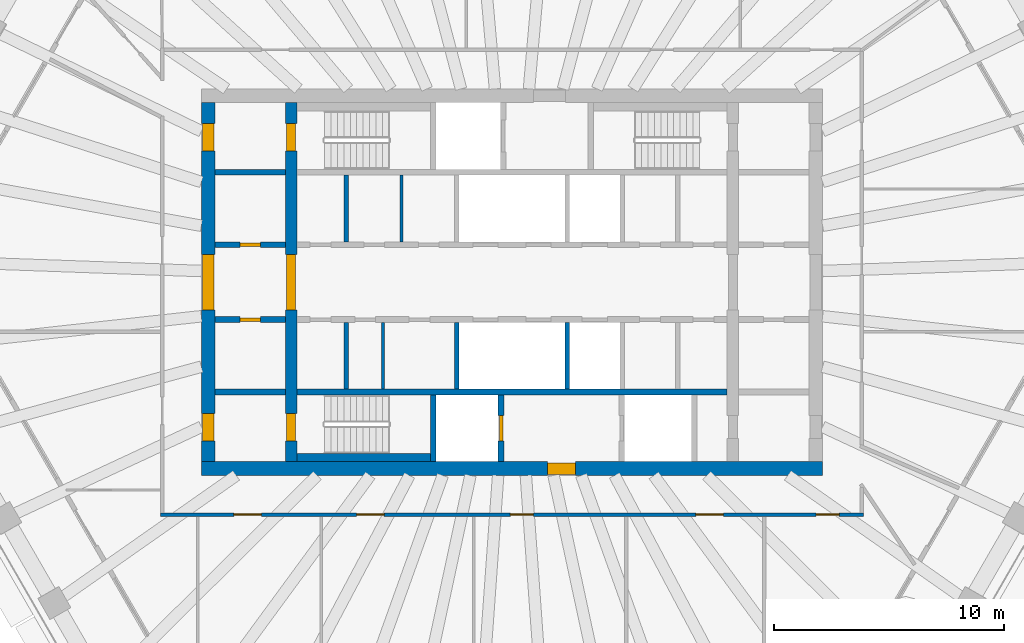
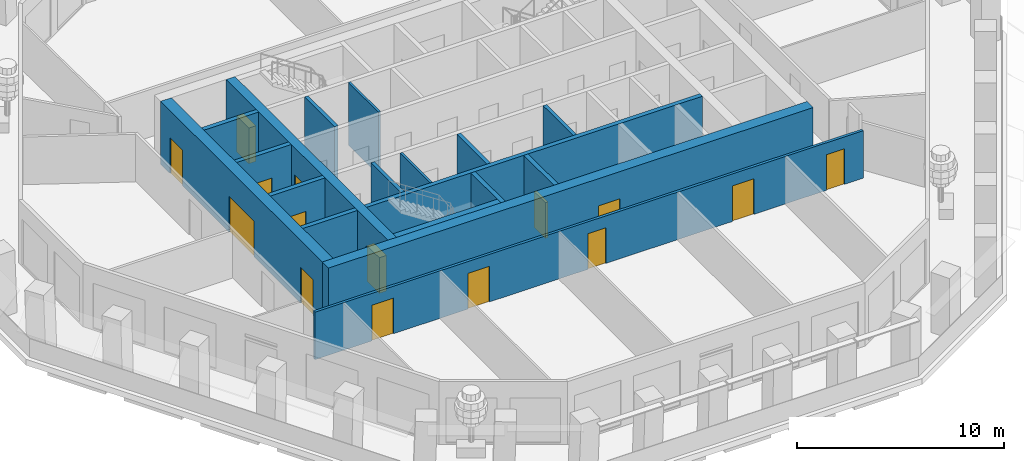
# One storey, part 4 of 12: 18 walls, 15 doors, 15 openings.
"""IFC4 building model written with IfcOpenShell, lengths in metres."""

from ifc_helpers import new_model, si_unit, direction, frame, frame_2d, origin, place, context, subcontext, project, spatial, rectangle, extrude, material, layer, layer_set, type_object, element, fill, save


model = new_model("IFC4")

# Units and contexts
model_context = context("Model", 3, precision=1e-05, world=origin(), true_north=direction((0.0, 1.0)))
body_context = subcontext(model_context, "Body", "Model", "MODEL_VIEW")
ifc_project = project(units=[si_unit("LENGTHUNIT", "METRE"), si_unit("AREAUNIT", "SQUARE_METRE"), si_unit("VOLUMEUNIT", "CUBIC_METRE"), si_unit("PLANEANGLEUNIT", "RADIAN"), si_unit("MASSUNIT", "GRAM", prefix="KILO")], contexts=[model_context])

# Site, building, storey
site_placement = place(None, origin())
site = spatial("IfcSite", under=ifc_project, at=site_placement, CompositionType="ELEMENT")
building_placement = place(site_placement, origin())
building = spatial("IfcBuilding", under=site, at=building_placement, Name="Frailejon Research Tower", CompositionType="ELEMENT")
storey_placement = place(building_placement, frame((0.0, 0.0, 241.39990234375)))
storey = spatial("IfcBuildingStorey", under=building, at=storey_placement, Name="L52", CompositionType="ELEMENT", Elevation=241.39990234375)

# Walls
ifc_material_1 = material(Name="Plasterboard on steel studs", Category="steel")
ifc_layer_1 = layer(ifc_material_1, 0.125)
ifc_layer_set_1 = layer_set([ifc_layer_1], Name="Core partition 125")
wall_type_1 = type_object("IfcWallType", Name="Core partition 125", PredefinedType="PARTITIONING", material=ifc_layer_set_1)
for number, where, z_axis, x_axis, name in (
    (1, (-4.800048828125, 1.75, 0.0), (0.0, 0.0, 1.0), (0.0, 1.0, 0.0), "Core partition"),
    (2, (-5.60009765625, -4.64990234375, 0.0), (0.0, 0.0, 1.0), (0.0, 1.0, 0.0), "Core partition"),
):
    element("IfcWall", number, at=place(storey_placement, frame(where, z_axis=z_axis, x_axis=x_axis)), inside=storey, type_object=wall_type_1, Name=name, PredefinedType="PARTITIONING", context=body_context, shape_type="SweptSolid", body=[
        extrude(rectangle(XDim=2.89990234375, YDim=0.125, at=frame_2d((1.449951171875, 0.0))), origin(), (0.0, 0.0, 1.0), 3.7001953125),
    ])

# Wall, openings, doors
ifc_material_2 = material(Name="Concrete C60/75", Category="concrete")
ifc_layer_2 = layer(ifc_material_2, 0.5)
ifc_layer_set_2 = layer_set([ifc_layer_2], Name="Core shear wall 500 C60/75")
wall_type_2 = type_object("IfcWallType", Name="Core shear wall 500 C60/75", PredefinedType="SHEAR", material=ifc_layer_set_2)
wall_1_placement = place(storey_placement, frame((-9.60009765625, -7.800048828125, 0.0), z_axis=(0.0, 0.0, 1.0), x_axis=(0.0, 1.0, 0.0)))
wall_1 = element("IfcWall", 3, at=wall_1_placement, inside=storey, type_object=wall_type_2, Name="Core shear wall", PredefinedType="SHEAR", context=body_context, shape_type="SweptSolid", body=[
    extrude(rectangle(XDim=15.60009765625, YDim=0.5, at=frame_2d((7.800048828125, 0.0))), origin(), (0.0, 0.0, 1.0), 3.7001953125),
])
opening_1_placement = place(wall_1_placement, frame((6.60009765625, 0.0, 0.0)))
opening_1 = element("IfcOpeningElement", 4, at=opening_1_placement, cuts=wall_1, Name="Opening D2", PredefinedType="OPENING", context=body_context, shape_type="SweptSolid", body=[
    extrude(rectangle(XDim=2.39990234375, YDim=2.10009765625, at=frame_2d((1.199951171875, 1.050048828125))), frame((0.0, 0.260009765625, 0.0), z_axis=(0.0, -1.0, 0.0), x_axis=(1.0, 0.0, 0.0)), (0.0, 0.0, 1.0), 0.52001953125),
])
opening_2_placement = place(wall_1_placement, frame((13.5, 0.0, 0.0)))
opening_2 = element("IfcOpeningElement", 5, at=opening_2_placement, cuts=wall_1, Name="Opening D1", PredefinedType="OPENING", context=body_context, shape_type="SweptSolid", body=[
    extrude(rectangle(XDim=1.199951171875, YDim=2.10009765625, at=frame_2d((0.60009765625, 1.050048828125))), frame((0.0, 0.260009765625, 0.0), z_axis=(0.0, -1.0, 0.0), x_axis=(1.0, 0.0, 0.0)), (0.0, 0.0, 1.0), 0.52001953125),
])
opening_3_placement = place(wall_1_placement, frame((0.89990234375, 0.0, 0.0)))
opening_3 = element("IfcOpeningElement", 6, at=opening_3_placement, cuts=wall_1, Name="Opening D1", PredefinedType="OPENING", context=body_context, shape_type="SweptSolid", body=[
    extrude(rectangle(XDim=1.199951171875, YDim=2.10009765625, at=frame_2d((0.60009765625, 1.050048828125))), frame((0.0, 0.260009765625, 0.0), z_axis=(0.0, -1.0, 0.0), x_axis=(1.0, 0.0, 0.0)), (0.0, 0.0, 1.0), 0.52001953125),
])
ifc_material_3 = material(Name="Steel", Category="steel")
door_type_1 = type_object("IfcDoorType", Name="Lobby double door", OperationType="DOUBLE_DOOR_SINGLE_SWING", PredefinedType="DOOR", material=ifc_material_3)
door_1_placement = place(opening_1_placement, origin())
door_1 = element("IfcDoor", 7, at=door_1_placement, inside=storey, type_object=door_type_1, Name="Lobby door", OperationType="DOUBLE_DOOR_SINGLE_SWING", OverallHeight=2.10009765625, OverallWidth=2.39990234375, PredefinedType="DOOR", context=body_context, shape_type="SweptSolid", body=[
    extrude(rectangle(XDim=2.39990234375, YDim=2.10009765625, at=frame_2d((1.199951171875, 1.050048828125))), frame((0.0, 0.199951171875, 0.0), z_axis=(0.0, -1.0, 0.0), x_axis=(1.0, 0.0, 0.0)), (0.0, 0.0, 1.0), 0.39990234375),
])
fill(opening_1, door_1)
ifc_material_4 = material(Name="Steel", Category="steel")
door_type_2 = type_object("IfcDoorType", Name="Stair door", OperationType="SINGLE_SWING_LEFT", PredefinedType="DOOR", material=ifc_material_4)
door_2_placement = place(opening_2_placement, origin())
door_2 = element("IfcDoor", 8, at=door_2_placement, inside=storey, type_object=door_type_2, Name="Stair door ST1", OperationType="SINGLE_SWING_RIGHT", OverallHeight=2.10009765625, OverallWidth=1.199951171875, PredefinedType="DOOR", context=body_context, shape_type="SweptSolid", body=[
    extrude(rectangle(XDim=1.199951171875, YDim=2.10009765625, at=frame_2d((0.60009765625, 1.050048828125))), frame((0.0, 0.199951171875, 0.0), z_axis=(0.0, -1.0, 0.0), x_axis=(1.0, 0.0, 0.0)), (0.0, 0.0, 1.0), 0.39990234375),
])
fill(opening_2, door_2)
door_3_placement = place(opening_3_placement, origin())
door_3 = element("IfcDoor", 9, at=door_3_placement, inside=storey, type_object=door_type_2, Name="Stair door ST2", OperationType="SINGLE_SWING_RIGHT", OverallHeight=2.10009765625, OverallWidth=1.199951171875, PredefinedType="DOOR", context=body_context, shape_type="SweptSolid", body=[
    extrude(rectangle(XDim=1.199951171875, YDim=2.10009765625, at=frame_2d((0.60009765625, 1.050048828125))), frame((0.0, 0.199951171875, 0.0), z_axis=(0.0, -1.0, 0.0), x_axis=(1.0, 0.0, 0.0)), (0.0, 0.0, 1.0), 0.39990234375),
])
fill(opening_3, door_3)

# Wall, opening, door
ifc_material_5 = material(Name="Concrete C60/75", Category="concrete")
ifc_layer_3 = layer(ifc_material_5, 0.60009765625)
ifc_layer_set_3 = layer_set([ifc_layer_3], Name="Core shear wall 600 C60/75")
wall_type_3 = type_object("IfcWallType", Name="Core shear wall 600 C60/75", PredefinedType="SHEAR", material=ifc_layer_set_3)
wall_2_placement = place(storey_placement, frame((-13.5, -8.10009765625, 0.0), z_axis=(0.0, 0.0, 1.0), x_axis=(1.0, 0.0, 0.0)))
wall_2 = element("IfcWall", 10, at=wall_2_placement, inside=storey, type_object=wall_type_3, Name="Core shear wall", PredefinedType="SHEAR", context=body_context, shape_type="SweptSolid", body=[
    extrude(rectangle(XDim=27.0, YDim=0.60009765625, at=frame_2d((13.5, 0.0))), origin(), (0.0, 0.0, 1.0), 3.7001953125),
])
opening_4_placement = place(wall_2_placement, frame((15.050048828125, 0.0, 0.0)))
opening_4 = element("IfcOpeningElement", 11, at=opening_4_placement, cuts=wall_2, Name="Opening D3", PredefinedType="OPENING", context=body_context, shape_type="SweptSolid", body=[
    extrude(rectangle(XDim=1.199951171875, YDim=2.10009765625, at=frame_2d((0.60009765625, 1.050048828125))), frame((0.0, 0.31005859375, 0.0), z_axis=(0.0, -1.0, 0.0), x_axis=(1.0, 0.0, 0.0)), (0.0, 0.0, 1.0), 0.6201171875),
])
ifc_material_6 = material(Name="Steel", Category="steel")
door_type_3 = type_object("IfcDoorType", Name="Firefighting lobby door", OperationType="SINGLE_SWING_LEFT", PredefinedType="DOOR", material=ifc_material_6)
door_4_placement = place(opening_4_placement, origin())
door_4 = element("IfcDoor", 12, at=door_4_placement, inside=storey, type_object=door_type_3, Name="Firefighting lobby door", OperationType="SINGLE_SWING_RIGHT", OverallHeight=2.10009765625, OverallWidth=1.199951171875, PredefinedType="DOOR", context=body_context, shape_type="SweptSolid", body=[
    extrude(rectangle(XDim=1.199951171875, YDim=2.10009765625, at=frame_2d((0.60009765625, 1.050048828125))), frame((0.0, 0.25, 0.0), z_axis=(0.0, -1.0, 0.0), x_axis=(1.0, 0.0, 0.0)), (0.0, 0.0, 1.0), 0.5),
])
fill(opening_4, door_4)

# Wall, openings, doors
wall_3_placement = place(storey_placement, frame((-13.199951171875, -7.800048828125, 0.0), z_axis=(0.0, 0.0, 1.0), x_axis=(0.0, 1.0, 0.0)))
wall_3 = element("IfcWall", 13, at=wall_3_placement, inside=storey, type_object=wall_type_3, Name="Core shear wall", PredefinedType="SHEAR", context=body_context, shape_type="SweptSolid", body=[
    extrude(rectangle(XDim=15.60009765625, YDim=0.60009765625, at=frame_2d((7.800048828125, 0.0))), origin(), (0.0, 0.0, 1.0), 3.7001953125),
])
opening_5_placement = place(wall_3_placement, frame((6.60009765625, 0.0, 0.0)))
opening_5 = element("IfcOpeningElement", 14, at=opening_5_placement, cuts=wall_3, Name="Opening D2", PredefinedType="OPENING", context=body_context, shape_type="SweptSolid", body=[
    extrude(rectangle(XDim=2.39990234375, YDim=2.10009765625, at=frame_2d((1.199951171875, 1.050048828125))), frame((0.0, 0.31005859375, 0.0), z_axis=(0.0, -1.0, 0.0), x_axis=(1.0, 0.0, 0.0)), (0.0, 0.0, 1.0), 0.6201171875),
])
opening_6_placement = place(wall_3_placement, frame((13.5, 0.0, 0.0)))
opening_6 = element("IfcOpeningElement", 15, at=opening_6_placement, cuts=wall_3, Name="Opening D7", PredefinedType="OPENING", context=body_context, shape_type="SweptSolid", body=[
    extrude(rectangle(XDim=1.199951171875, YDim=2.10009765625, at=frame_2d((0.60009765625, 1.050048828125))), frame((0.0, 0.31005859375, 0.0), z_axis=(0.0, -1.0, 0.0), x_axis=(1.0, 0.0, 0.0)), (0.0, 0.0, 1.0), 0.6201171875),
])
opening_7_placement = place(wall_3_placement, frame((0.89990234375, 0.0, 0.0)))
opening_7 = element("IfcOpeningElement", 16, at=opening_7_placement, cuts=wall_3, Name="Opening D7", PredefinedType="OPENING", context=body_context, shape_type="SweptSolid", body=[
    extrude(rectangle(XDim=1.199951171875, YDim=2.10009765625, at=frame_2d((0.60009765625, 1.050048828125))), frame((0.0, 0.31005859375, 0.0), z_axis=(0.0, -1.0, 0.0), x_axis=(1.0, 0.0, 0.0)), (0.0, 0.0, 1.0), 0.6201171875),
])
door_5_placement = place(opening_5_placement, origin())
door_5 = element("IfcDoor", 17, at=door_5_placement, inside=storey, type_object=door_type_1, Name="Lobby door", OperationType="DOUBLE_DOOR_SINGLE_SWING", OverallHeight=2.10009765625, OverallWidth=2.39990234375, PredefinedType="DOOR", context=body_context, shape_type="SweptSolid", body=[
    extrude(rectangle(XDim=2.39990234375, YDim=2.10009765625, at=frame_2d((1.199951171875, 1.050048828125))), frame((0.0, 0.25, 0.0), z_axis=(0.0, -1.0, 0.0), x_axis=(1.0, 0.0, 0.0)), (0.0, 0.0, 1.0), 0.5),
])
fill(opening_5, door_5)
ifc_material_7 = material(Name="Steel", Category="steel")
door_type_4 = type_object("IfcDoorType", Name="Stair exit door", OperationType="SINGLE_SWING_LEFT", PredefinedType="DOOR", material=ifc_material_7)
door_6_placement = place(opening_6_placement, origin())
door_6 = element("IfcDoor", 18, at=door_6_placement, inside=storey, type_object=door_type_4, Name="Stair exit door ST1", OperationType="SINGLE_SWING_LEFT", OverallHeight=2.10009765625, OverallWidth=1.199951171875, PredefinedType="DOOR", context=body_context, shape_type="SweptSolid", body=[
    extrude(rectangle(XDim=1.199951171875, YDim=2.10009765625, at=frame_2d((0.60009765625, 1.050048828125))), frame((0.0, 0.25, 0.0), z_axis=(0.0, -1.0, 0.0), x_axis=(1.0, 0.0, 0.0)), (0.0, 0.0, 1.0), 0.5),
])
fill(opening_6, door_6)
door_7_placement = place(opening_7_placement, origin())
door_7 = element("IfcDoor", 19, at=door_7_placement, inside=storey, type_object=door_type_4, Name="Stair exit door ST2", OperationType="SINGLE_SWING_LEFT", OverallHeight=2.10009765625, OverallWidth=1.199951171875, PredefinedType="DOOR", context=body_context, shape_type="SweptSolid", body=[
    extrude(rectangle(XDim=1.199951171875, YDim=2.10009765625, at=frame_2d((0.60009765625, 1.050048828125))), frame((0.0, 0.25, 0.0), z_axis=(0.0, -1.0, 0.0), x_axis=(1.0, 0.0, 0.0)), (0.0, 0.0, 1.0), 0.5),
])
fill(opening_7, door_7)

ifc_material_8 = material(Name="Gypsum board and masonry partition", Category="masonry")
ifc_layer_4 = layer(ifc_material_8, 0.14990234375)
ifc_layer_set_4 = layer_set([ifc_layer_4], Name="Corridor wall EI 60, gypsum on steel studs 150")
wall_type_4 = type_object("IfcWallType", Name="Corridor wall EI 60, gypsum on steel studs 150", PredefinedType="PARTITIONING", material=ifc_layer_set_4)
wall_4_placement = place(storey_placement, frame((-15.27490234375, -10.10009765625, 0.0), z_axis=(0.0, 0.0, 1.0), x_axis=(1.0, 0.0, 0.0)))
wall_4 = element("IfcWall", 20, at=wall_4_placement, inside=storey, type_object=wall_type_4, Name="T:IW:L52:008", PredefinedType="PARTITIONING", context=body_context, shape_type="SweptSolid", body=[
    extrude(rectangle(XDim=30.5498046875, YDim=0.14990234375, at=frame_2d((15.27490234375, 0.0))), origin(), (0.0, 0.0, 1.0), 2.800048828125),
])
opening_8_placement = place(wall_4_placement, frame((3.180908203125, 0.0, 0.0)))
opening_8 = element("IfcOpeningElement", 21, at=opening_8_placement, cuts=wall_4, Name="Opening D2030", PredefinedType="OPENING", context=body_context, shape_type="SweptSolid", body=[
    extrude(rectangle(XDim=1.199951171875, YDim=2.10009765625, at=frame_2d((0.60009765625, 1.050048828125))), frame((0.0, 0.0849609375, 0.0), z_axis=(0.0, -1.0, 0.0), x_axis=(1.0, 0.0, 0.0)), (0.0, 0.0, 1.0), 0.169921875),
])
opening_9_placement = place(wall_4_placement, frame((8.521728515625, 0.0, 0.0)))
opening_9 = element("IfcOpeningElement", 22, at=opening_9_placement, cuts=wall_4, Name="Opening D2031", PredefinedType="OPENING", context=body_context, shape_type="SweptSolid", body=[
    extrude(rectangle(XDim=1.199951171875, YDim=2.10009765625, at=frame_2d((0.60009765625, 1.050048828125))), frame((0.0, 0.0849609375, 0.0), z_axis=(0.0, -1.0, 0.0), x_axis=(1.0, 0.0, 0.0)), (0.0, 0.0, 1.0), 0.169921875),
])
opening_10_placement = place(wall_4_placement, frame((15.199951171875, 0.0, 0.0)))
opening_10 = element("IfcOpeningElement", 23, at=opening_10_placement, cuts=wall_4, Name="Opening D2032", PredefinedType="OPENING", context=body_context, shape_type="SweptSolid", body=[
    extrude(rectangle(XDim=1.0, YDim=2.10009765625, at=frame_2d((0.5, 1.050048828125))), frame((0.0, 0.0849609375, 0.0), z_axis=(0.0, -1.0, 0.0), x_axis=(1.0, 0.0, 0.0)), (0.0, 0.0, 1.0), 0.169921875),
])
opening_11_placement = place(wall_4_placement, frame((23.26220703125, 0.0, 0.0)))
opening_11 = element("IfcOpeningElement", 24, at=opening_11_placement, cuts=wall_4, Name="Opening D2033", PredefinedType="OPENING", context=body_context, shape_type="SweptSolid", body=[
    extrude(rectangle(XDim=1.199951171875, YDim=2.10009765625, at=frame_2d((0.60009765625, 1.050048828125))), frame((0.0, 0.0849609375, 0.0), z_axis=(0.0, -1.0, 0.0), x_axis=(1.0, 0.0, 0.0)), (0.0, 0.0, 1.0), 0.169921875),
])
opening_12_placement = place(wall_4_placement, frame((28.4931640625, 0.0, 0.0)))
opening_12 = element("IfcOpeningElement", 25, at=opening_12_placement, cuts=wall_4, Name="Opening D2034", PredefinedType="OPENING", context=body_context, shape_type="SweptSolid", body=[
    extrude(rectangle(XDim=1.0, YDim=2.10009765625, at=frame_2d((0.5, 1.050048828125))), frame((0.0, 0.0849609375, 0.0), z_axis=(0.0, -1.0, 0.0), x_axis=(1.0, 0.0, 0.0)), (0.0, 0.0, 1.0), 0.169921875),
])
ifc_material_9 = material(Name="Timber door leaf", Category="wood")
door_type_5 = type_object("IfcDoorType", Name="Door laboratory, timber, vision panel 1200", OperationType="NOTDEFINED", PredefinedType="DOOR", material=ifc_material_9)
door_8_placement = place(opening_11_placement, origin())
door_8 = element("IfcDoor", 26, at=door_8_placement, inside=storey, type_object=door_type_5, Name="D2033", OperationType="DOUBLE_DOOR_SINGLE_SWING", OverallHeight=2.10009765625, OverallWidth=1.199951171875, PredefinedType="DOOR", context=body_context, shape_type="SweptSolid", body=[
    extrude(rectangle(XDim=1.199951171875, YDim=2.10009765625, at=frame_2d((0.60009765625, 1.050048828125))), frame((0.0, 0.02490234375, 0.0), z_axis=(0.0, -1.0, 0.0), x_axis=(1.0, 0.0, 0.0)), (0.0, 0.0, 1.0), 0.050048828125),
])
fill(opening_11, door_8)
ifc_material_10 = material(Name="Timber door leaf", Category="wood")
door_type_6 = type_object("IfcDoorType", Name="Door single leaf, timber, steel frame 1000", OperationType="NOTDEFINED", PredefinedType="DOOR", material=ifc_material_10)
door_9_placement = place(opening_10_placement, origin())
door_9 = element("IfcDoor", 27, at=door_9_placement, inside=storey, type_object=door_type_6, Name="D2032", OperationType="SINGLE_SWING_RIGHT", OverallHeight=2.10009765625, OverallWidth=1.0, PredefinedType="DOOR", context=body_context, shape_type="SweptSolid", body=[
    extrude(rectangle(XDim=1.0, YDim=2.10009765625, at=frame_2d((0.5, 1.050048828125))), frame((0.0, 0.02490234375, 0.0), z_axis=(0.0, -1.0, 0.0), x_axis=(1.0, 0.0, 0.0)), (0.0, 0.0, 1.0), 0.050048828125),
])
fill(opening_10, door_9)
door_10_placement = place(opening_12_placement, origin())
door_10 = element("IfcDoor", 28, at=door_10_placement, inside=storey, type_object=door_type_6, Name="D2034", OperationType="SINGLE_SWING_LEFT", OverallHeight=2.10009765625, OverallWidth=1.0, PredefinedType="DOOR", context=body_context, shape_type="SweptSolid", body=[
    extrude(rectangle(XDim=1.0, YDim=2.10009765625, at=frame_2d((0.5, 1.050048828125))), frame((0.0, 0.02490234375, 0.0), z_axis=(0.0, -1.0, 0.0), x_axis=(1.0, 0.0, 0.0)), (0.0, 0.0, 1.0), 0.050048828125),
])
fill(opening_12, door_10)
ifc_material_11 = material(Name="Timber door leaf", Category="wood")
door_type_7 = type_object("IfcDoorType", Name="Door single leaf, timber, steel frame 1200", OperationType="NOTDEFINED", PredefinedType="DOOR", material=ifc_material_11)
door_11_placement = place(opening_8_placement, origin())
door_11 = element("IfcDoor", 29, at=door_11_placement, inside=storey, type_object=door_type_7, Name="D2030", OperationType="DOUBLE_DOOR_SINGLE_SWING", OverallHeight=2.10009765625, OverallWidth=1.199951171875, PredefinedType="DOOR", context=body_context, shape_type="SweptSolid", body=[
    extrude(rectangle(XDim=1.199951171875, YDim=2.10009765625, at=frame_2d((0.60009765625, 1.050048828125))), frame((0.0, 0.02490234375, 0.0), z_axis=(0.0, -1.0, 0.0), x_axis=(1.0, 0.0, 0.0)), (0.0, 0.0, 1.0), 0.050048828125),
])
fill(opening_8, door_11)
door_12_placement = place(opening_9_placement, origin())
door_12 = element("IfcDoor", 30, at=door_12_placement, inside=storey, type_object=door_type_7, Name="D2031", OperationType="DOUBLE_DOOR_SINGLE_SWING", OverallHeight=2.10009765625, OverallWidth=1.199951171875, PredefinedType="DOOR", context=body_context, shape_type="SweptSolid", body=[
    extrude(rectangle(XDim=1.199951171875, YDim=2.10009765625, at=frame_2d((0.60009765625, 1.050048828125))), frame((0.0, 0.02490234375, 0.0), z_axis=(0.0, -1.0, 0.0), x_axis=(1.0, 0.0, 0.0)), (0.0, 0.0, 1.0), 0.050048828125),
])
fill(opening_9, door_12)

# Walls
ifc_material_12 = material(Name="Concrete C60/75", Category="concrete")
ifc_layer_5 = layer(ifc_material_12, 0.199951171875)
ifc_layer_set_5 = layer_set([ifc_layer_5], Name="Shaft wall 200 C60/75")
wall_type_5 = type_object("IfcWallType", Name="Shaft wall 200 C60/75", PredefinedType="SOLIDWALL", material=ifc_layer_set_5)
for number, where, z_axis, x_axis, name in (
    (31, (-7.199951171875, 1.75, 0.0), (0.0, 0.0, 1.0), (0.0, 1.0, 0.0), "Shaft wall"),
    (32, (-7.199951171875, -4.64990234375, 0.0), (0.0, 0.0, 1.0), (0.0, 1.0, 0.0), "Shaft wall"),
    (33, (-2.39990234375, -4.64990234375, 0.0), (0.0, 0.0, 1.0), (0.0, 1.0, 0.0), "Shaft wall"),
    (34, (2.39990234375, -4.64990234375, 0.0), (0.0, 0.0, 1.0), (0.0, 1.0, 0.0), "Shaft wall"),
):
    element("IfcWall", number, at=place(storey_placement, frame(where, z_axis=z_axis, x_axis=x_axis)), inside=storey, type_object=wall_type_5, Name=name, PredefinedType="SOLIDWALL", context=body_context, shape_type="SweptSolid", body=[
        extrude(rectangle(XDim=2.89990234375, YDim=0.199951171875, at=frame_2d((1.449951171875, 0.0))), origin(), (0.0, 0.0, 1.0), 3.7001953125),
    ])

# Wall, opening, door
ifc_material_13 = material(Name="Concrete C60/75", Category="concrete")
ifc_layer_6 = layer(ifc_material_13, 0.25)
ifc_layer_set_6 = layer_set([ifc_layer_6], Name="Shaft wall 250 C60/75")
wall_type_6 = type_object("IfcWallType", Name="Shaft wall 250 C60/75", PredefinedType="SOLIDWALL", material=ifc_layer_set_6)
wall_5_placement = place(storey_placement, frame((-12.89990234375, 1.625, 0.0), z_axis=(0.0, 0.0, 1.0), x_axis=(1.0, 0.0, 0.0)))
wall_5 = element("IfcWall", 35, at=wall_5_placement, inside=storey, type_object=wall_type_6, Name="Shaft wall", PredefinedType="SOLIDWALL", context=body_context, shape_type="SweptSolid", body=[
    extrude(rectangle(XDim=3.0498046875, YDim=0.25, at=frame_2d((1.52490234375, 0.0))), origin(), (0.0, 0.0, 1.0), 3.7001953125),
])
opening_13_placement = place(wall_5_placement, frame((1.074951171875, 0.0, 0.0)))
opening_13 = element("IfcOpeningElement", 36, at=opening_13_placement, cuts=wall_5, Name="Opening D8", PredefinedType="OPENING", context=body_context, shape_type="SweptSolid", body=[
    extrude(rectangle(XDim=0.89990234375, YDim=2.10009765625, at=frame_2d((0.449951171875, 1.050048828125))), frame((0.0, 0.135009765625, 0.0), z_axis=(0.0, -1.0, 0.0), x_axis=(1.0, 0.0, 0.0)), (0.0, 0.0, 1.0), 0.27001953125),
])
ifc_material_14 = material(Name="Steel", Category="steel")
door_type_8 = type_object("IfcDoorType", Name="Core room door", OperationType="SINGLE_SWING_LEFT", PredefinedType="DOOR", material=ifc_material_14)
door_13_placement = place(opening_13_placement, origin())
door_13 = element("IfcDoor", 37, at=door_13_placement, inside=storey, type_object=door_type_8, Name="Room door", OperationType="SINGLE_SWING_RIGHT", OverallHeight=2.10009765625, OverallWidth=0.89990234375, PredefinedType="DOOR", context=body_context, shape_type="SweptSolid", body=[
    extrude(rectangle(XDim=0.89990234375, YDim=2.10009765625, at=frame_2d((0.449951171875, 1.050048828125))), frame((0.0, 0.074951171875, 0.0), z_axis=(0.0, -1.0, 0.0), x_axis=(1.0, 0.0, 0.0)), (0.0, 0.0, 1.0), 0.14990234375),
])
fill(opening_13, door_13)

# Wall
wall_6_placement = place(storey_placement, frame((-12.89990234375, 4.77490234375, 0.0), z_axis=(0.0, 0.0, 1.0), x_axis=(1.0, 0.0, 0.0)))
element("IfcWall", 38, at=wall_6_placement, inside=storey, type_object=wall_type_6, Name="Shaft wall", PredefinedType="SOLIDWALL", context=body_context, shape_type="SweptSolid", body=[
    extrude(rectangle(XDim=3.0498046875, YDim=0.25, at=frame_2d((1.52490234375, 0.0))), origin(), (0.0, 0.0, 1.0), 3.7001953125),
])

# Wall, opening, door
wall_7_placement = place(storey_placement, frame((-12.89990234375, -1.625, 0.0), z_axis=(0.0, 0.0, 1.0), x_axis=(1.0, 0.0, 0.0)))
wall_7 = element("IfcWall", 39, at=wall_7_placement, inside=storey, type_object=wall_type_6, Name="Shaft wall", PredefinedType="SOLIDWALL", context=body_context, shape_type="SweptSolid", body=[
    extrude(rectangle(XDim=3.0498046875, YDim=0.25, at=frame_2d((1.52490234375, 0.0))), origin(), (0.0, 0.0, 1.0), 3.7001953125),
])
opening_14_placement = place(wall_7_placement, frame((1.074951171875, 0.0, 0.0)))
opening_14 = element("IfcOpeningElement", 40, at=opening_14_placement, cuts=wall_7, Name="Opening D8", PredefinedType="OPENING", context=body_context, shape_type="SweptSolid", body=[
    extrude(rectangle(XDim=0.89990234375, YDim=2.10009765625, at=frame_2d((0.449951171875, 1.050048828125))), frame((0.0, 0.135009765625, 0.0), z_axis=(0.0, -1.0, 0.0), x_axis=(1.0, 0.0, 0.0)), (0.0, 0.0, 1.0), 0.27001953125),
])
door_14_placement = place(opening_14_placement, origin())
door_14 = element("IfcDoor", 41, at=door_14_placement, inside=storey, type_object=door_type_8, Name="Room door", OperationType="SINGLE_SWING_LEFT", OverallHeight=2.10009765625, OverallWidth=0.89990234375, PredefinedType="DOOR", context=body_context, shape_type="SweptSolid", body=[
    extrude(rectangle(XDim=0.89990234375, YDim=2.10009765625, at=frame_2d((0.449951171875, 1.050048828125))), frame((0.0, 0.074951171875, 0.0), z_axis=(0.0, -1.0, 0.0), x_axis=(1.0, 0.0, 0.0)), (0.0, 0.0, 1.0), 0.14990234375),
])
fill(opening_14, door_14)

# Walls
wall_8_placement = place(storey_placement, frame((-12.89990234375, -4.77490234375, 0.0), z_axis=(0.0, 0.0, 1.0), x_axis=(1.0, 0.0, 0.0)))
element("IfcWall", 42, at=wall_8_placement, inside=storey, type_object=wall_type_6, Name="Shaft wall", PredefinedType="SOLIDWALL", context=body_context, shape_type="SweptSolid", body=[
    extrude(rectangle(XDim=3.0498046875, YDim=0.25, at=frame_2d((1.52490234375, 0.0))), origin(), (0.0, 0.0, 1.0), 3.7001953125),
])
wall_9_placement = place(storey_placement, frame((-9.35009765625, -4.77490234375, 0.0), z_axis=(0.0, 0.0, 1.0), x_axis=(1.0, 0.0, 0.0)))
element("IfcWall", 43, at=wall_9_placement, inside=storey, type_object=wall_type_6, Name="Shaft wall", PredefinedType="SOLIDWALL", context=body_context, shape_type="SweptSolid", body=[
    extrude(rectangle(XDim=18.7001953125, YDim=0.25, at=frame_2d((9.35009765625, 0.0))), origin(), (0.0, 0.0, 1.0), 3.7001953125),
])
wall_10_placement = place(storey_placement, frame((-3.425048828125, -7.800048828125, 0.0), z_axis=(0.0, 0.0, 1.0), x_axis=(0.0, 1.0, 0.0)))
element("IfcWall", 44, at=wall_10_placement, inside=storey, type_object=wall_type_6, Name="Shaft wall", PredefinedType="SOLIDWALL", context=body_context, shape_type="SweptSolid", body=[
    extrude(rectangle(XDim=2.900146484375, YDim=0.25, at=frame_2d((1.4501953125, 0.0))), origin(), (0.0, 0.0, 1.0), 3.7001953125),
])

# Wall, opening, door
wall_11_placement = place(storey_placement, frame((-0.47509765625, -7.800048828125, 0.0), z_axis=(0.0, 0.0, 1.0), x_axis=(0.0, 1.0, 0.0)))
wall_11 = element("IfcWall", 45, at=wall_11_placement, inside=storey, type_object=wall_type_6, Name="Shaft wall", PredefinedType="SOLIDWALL", context=body_context, shape_type="SweptSolid", body=[
    extrude(rectangle(XDim=2.900146484375, YDim=0.25, at=frame_2d((1.4501953125, 0.0))), origin(), (0.0, 0.0, 1.0), 3.7001953125),
])
opening_15_placement = place(wall_11_placement, frame((0.89990234375, 0.0, 0.0)))
opening_15 = element("IfcOpeningElement", 46, at=opening_15_placement, cuts=wall_11, Name="Opening LD", PredefinedType="OPENING", context=body_context, shape_type="SweptSolid", body=[
    extrude(rectangle(XDim=1.10009765625, YDim=2.10009765625, at=frame_2d((0.550048828125, 1.050048828125))), frame((0.0, 0.135009765625, 0.0), z_axis=(0.0, -1.0, 0.0), x_axis=(1.0, 0.0, 0.0)), (0.0, 0.0, 1.0), 0.27001953125),
])
ifc_material_15 = material(Name="Steel", Category="steel")
door_type_9 = type_object("IfcDoorType", Name="Lift landing door", OperationType="DOUBLE_DOOR_SLIDING", PredefinedType="DOOR", material=ifc_material_15)
door_15_placement = place(opening_15_placement, origin())
door_15 = element("IfcDoor", 47, at=door_15_placement, inside=storey, type_object=door_type_9, Name="Lift landing door", OperationType="DOUBLE_DOOR_SLIDING", OverallHeight=2.10009765625, OverallWidth=1.10009765625, PredefinedType="DOOR", context=body_context, shape_type="SweptSolid", body=[
    extrude(rectangle(XDim=1.10009765625, YDim=2.10009765625, at=frame_2d((0.550048828125, 1.050048828125))), frame((0.0, 0.074951171875, 0.0), z_axis=(0.0, -1.0, 0.0), x_axis=(1.0, 0.0, 0.0)), (0.0, 0.0, 1.0), 0.14990234375),
])
fill(opening_15, door_15)

# Wall
ifc_material_16 = material(Name="Concrete C60/75", Category="concrete")
ifc_layer_7 = layer(ifc_material_16, 0.35009765625)
ifc_layer_set_7 = layer_set([ifc_layer_7], Name="Shaft wall 350 C60/75")
wall_type_7 = type_object("IfcWallType", Name="Shaft wall 350 C60/75", PredefinedType="SOLIDWALL", material=ifc_layer_set_7)
wall_12_placement = place(storey_placement, frame((-9.35009765625, -7.625, 0.0), z_axis=(0.0, 0.0, 1.0), x_axis=(1.0, 0.0, 0.0)))
element("IfcWall", 48, at=wall_12_placement, inside=storey, type_object=wall_type_7, Name="Shaft wall", PredefinedType="SOLIDWALL", context=body_context, shape_type="SweptSolid", body=[
    extrude(rectangle(XDim=5.800048828125, YDim=0.35009765625, at=frame_2d((2.89990234375, 0.0))), origin(), (0.0, 0.0, 1.0), 3.7001953125),
])

save(model, "model.ifc")
